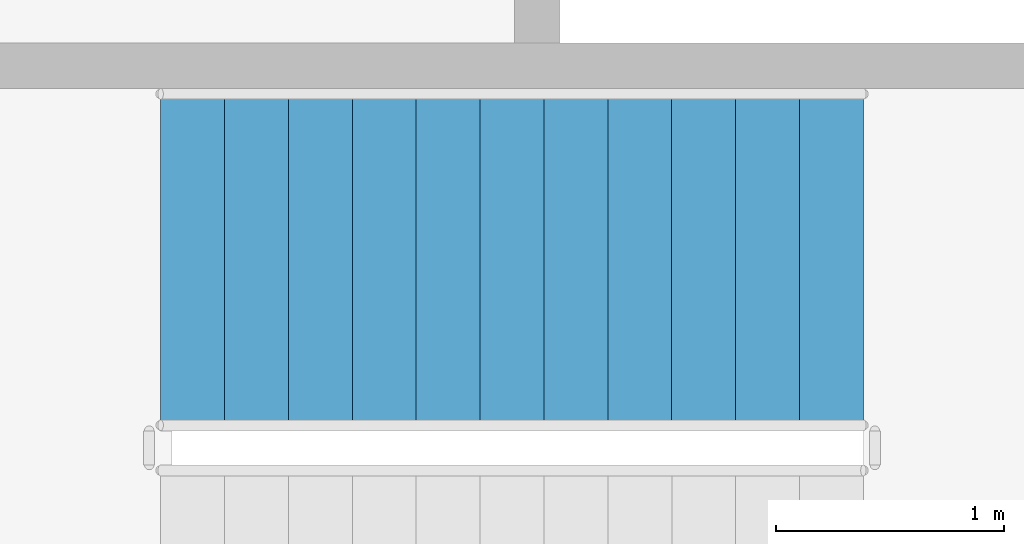
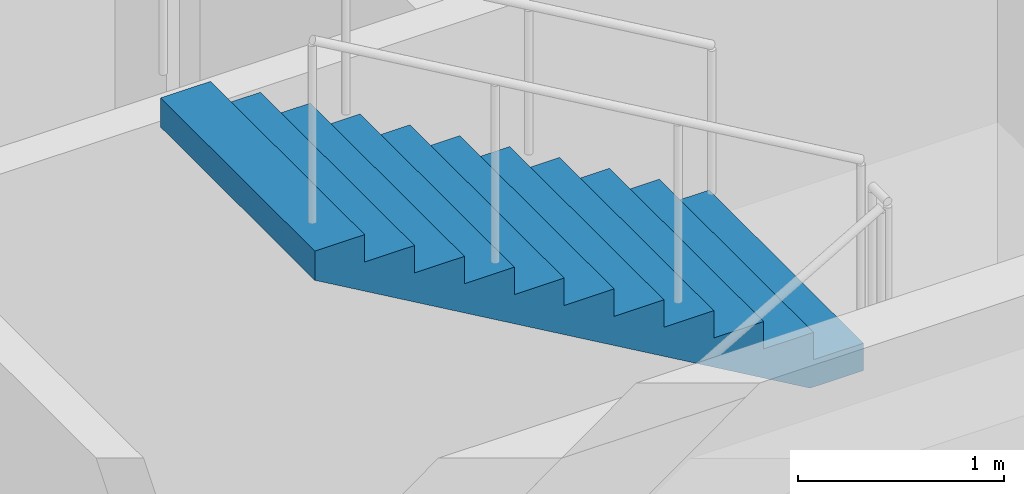
# One storey, part 28 of 32: 1 stair flight, 1 element without a shape of its own.
"""IFC4 building model written with IfcOpenShell, lengths in metres."""

from ifc_helpers import new_model, si_unit, direction, frame, origin, place, context, subcontext, project, spatial, triangles, material, type_object, element, aggregate, save


model = new_model("IFC4")

# Units and contexts
model_context = context("Model", 3, precision=1e-05, world=origin(), true_north=direction((0.0, 1.0)))
body_context = subcontext(model_context, "Body", "Model", "MODEL_VIEW")
ifc_project = project(units=[si_unit("LENGTHUNIT", "METRE"), si_unit("AREAUNIT", "SQUARE_METRE"), si_unit("VOLUMEUNIT", "CUBIC_METRE"), si_unit("PLANEANGLEUNIT", "RADIAN"), si_unit("MASSUNIT", "GRAM", prefix="KILO")], contexts=[model_context])

# Site, building, storey
site_placement = place(None, origin())
site = spatial("IfcSite", under=ifc_project, at=site_placement, CompositionType="ELEMENT")
building_placement = place(site_placement, origin())
building = spatial("IfcBuilding", under=site, at=building_placement, Name="Magnolia Steps Interchange", CompositionType="ELEMENT")
storey_placement = place(building_placement, frame((0.0, 0.0, 16.5)))
storey = spatial("IfcBuildingStorey", under=building, at=storey_placement, Name="L04", CompositionType="ELEMENT", Elevation=16.5)

# Stair, stair flight
ifc_material_1 = material(Name="Concrete C40", Category="concrete")
stair_type = type_object("IfcStairType", Name="Exit stair 1500", PredefinedType="HALF_TURN_STAIR", material=ifc_material_1)
stair_placement = place(storey_placement, origin())
stair = element("IfcStair", 1, at=stair_placement, inside=storey, type_object=stair_type, Name="L04 Stair 29", PredefinedType="HALF_TURN_STAIR")
ifc_material_2 = material(Name="Concrete C40", Category="concrete")
stair_flight_type = type_object("IfcStairFlightType", Name="Exit stair flight", PredefinedType="STRAIGHT", material=ifc_material_2)
stair_flight_placement = place(storey_placement, frame((115.929931640625, 99.25, 1.949951171875), z_axis=(0.0, 0.0, 1.0), x_axis=(-1.0, 0.0, 0.0)))
stair_flight = element("IfcStairFlight", 2, at=stair_flight_placement, type_object=stair_flight_type, Name="Stair 29 flight 2", NumberOfRisers=12, NumberOfTreads=11, PredefinedType="STRAIGHT", RiserHeight=0.1625, TreadLength=0.28, context=body_context, shape_type="Tessellation", body=[
    triangles([(0.0, -0.75, 0.0), (0.298583984375, -0.75, 0.0), (3.080078125, -0.75, 1.6142578125), (3.080078125, -0.75, 1.78759765625), (2.800048828125, -0.75, 1.78759765625), (2.800048828125, -0.75, 1.625), (2.52001953125, -0.75, 1.625), (2.52001953125, -0.75, 1.46240234375), (2.239990234375, -0.75, 1.46240234375), (2.239990234375, -0.75, 1.300048828125), (1.9599609375, -0.75, 1.300048828125), (1.9599609375, -0.75, 1.137451171875), (1.679931640625, -0.75, 1.137451171875), (1.679931640625, -0.75, 0.97509765625), (1.39990234375, -0.75, 0.97509765625), (1.39990234375, -0.75, 0.8125), (1.1201171875, -0.75, 0.8125), (1.1201171875, -0.75, 0.64990234375), (0.840087890625, -0.75, 0.64990234375), (0.840087890625, -0.75, 0.487548828125), (0.56005859375, -0.75, 0.487548828125), (0.56005859375, -0.75, 0.324951171875), (0.280029296875, -0.75, 0.324951171875), (0.280029296875, -0.75, 0.16259765625), (0.0, -0.75, 0.16259765625), (0.0, 0.75, 0.0), (0.298583984375, 0.75, 0.0), (3.080078125, 0.75, 1.6142578125), (3.080078125, 0.75, 1.78759765625), (2.800048828125, 0.75, 1.78759765625), (2.800048828125, 0.75, 1.625), (2.52001953125, 0.75, 1.625), (2.52001953125, 0.75, 1.46240234375), (2.239990234375, 0.75, 1.46240234375), (2.239990234375, 0.75, 1.300048828125), (1.9599609375, 0.75, 1.300048828125), (1.9599609375, 0.75, 1.137451171875), (1.679931640625, 0.75, 1.137451171875), (1.679931640625, 0.75, 0.97509765625), (1.39990234375, 0.75, 0.97509765625), (1.39990234375, 0.75, 0.8125), (1.1201171875, 0.75, 0.8125), (1.1201171875, 0.75, 0.64990234375), (0.840087890625, 0.75, 0.64990234375), (0.840087890625, 0.75, 0.487548828125), (0.56005859375, 0.75, 0.487548828125), (0.56005859375, 0.75, 0.324951171875), (0.280029296875, 0.75, 0.324951171875), (0.280029296875, 0.75, 0.16259765625), (0.0, 0.75, 0.16259765625), (0.0, 0.0, 0.0), (0.0, 0.0, 0.0406494140625), (0.0, 0.0, 0.081298828125), (0.0, 0.0, 0.1219482421875), (0.0, 0.0, 0.16259765625), (0.0, -0.05, 0.0), (0.0, -0.05, 0.16259765625), (0.0, 0.05, 0.0), (0.0, 0.05, 0.16259765625), (0.046671549479166664, 0.0, 0.16259765625), (0.09334309895833333, 0.0, 0.16259765625), (0.1400146484375, 0.0, 0.16259765625), (0.18668619791666666, 0.0, 0.16259765625), (0.23335774739583334, 0.0, 0.16259765625), (0.280029296875, 0.0, 0.16259765625), (0.280029296875, -0.05, 0.16259765625), (0.280029296875, 0.05, 0.16259765625), (0.280029296875, 0.0, 0.20318603515625), (0.280029296875, 0.0, 0.2437744140625), (0.280029296875, 0.0, 0.28436279296875), (0.280029296875, 0.0, 0.324951171875), (0.280029296875, -0.05, 0.324951171875), (0.280029296875, 0.05, 0.324951171875), (0.3267008463541667, 0.0, 0.324951171875), (0.3733723958333333, 0.0, 0.324951171875), (0.4200439453125, 0.0, 0.324951171875), (0.46671549479166663, 0.0, 0.324951171875), (0.5133870442708334, 0.0, 0.324951171875), (0.56005859375, 0.0, 0.324951171875), (0.56005859375, -0.05, 0.324951171875), (0.56005859375, 0.05, 0.324951171875), (0.56005859375, 0.0, 0.3656005859375), (0.56005859375, 0.0, 0.40625), (0.56005859375, 0.0, 0.4468994140625), (0.56005859375, 0.0, 0.487548828125), (0.56005859375, -0.05, 0.487548828125), (0.56005859375, 0.05, 0.487548828125), (0.6067301432291666, 0.0, 0.487548828125), (0.6534016927083334, 0.0, 0.487548828125), (0.7000732421875, 0.0, 0.487548828125), (0.7467447916666666, 0.0, 0.487548828125), (0.7934163411458334, 0.0, 0.487548828125), (0.840087890625, 0.0, 0.487548828125), (0.840087890625, -0.05, 0.487548828125), (0.840087890625, 0.05, 0.487548828125), (0.840087890625, 0.0, 0.52813720703125), (0.840087890625, 0.0, 0.5687255859375), (0.840087890625, 0.0, 0.60931396484375), (0.840087890625, 0.0, 0.64990234375), (0.840087890625, -0.05, 0.64990234375), (0.840087890625, 0.05, 0.64990234375), (0.8867594401041666, 0.0, 0.64990234375), (0.9334309895833334, 0.0, 0.64990234375), (0.9801025390625, 0.0, 0.64990234375), (1.0267740885416667, 0.0, 0.64990234375), (1.0734456380208333, 0.0, 0.64990234375), (1.1201171875, 0.0, 0.64990234375), (1.1201171875, -0.05, 0.64990234375), (1.1201171875, 0.05, 0.64990234375), (1.1201171875, 0.0, 0.6905517578125), (1.1201171875, 0.0, 0.731201171875), (1.1201171875, 0.0, 0.7718505859375), (1.1201171875, 0.0, 0.8125), (1.1201171875, -0.05, 0.8125), (1.1201171875, 0.05, 0.8125), (1.1900634765625, 0.0, 0.8125), (1.260009765625, 0.0, 0.8125), (1.3299560546875, 0.0, 0.8125), (1.39990234375, 0.0, 0.8125), (1.39990234375, -0.05, 0.8125), (1.39990234375, 0.05, 0.8125), (1.39990234375, 0.0, 0.8531494140625), (1.39990234375, 0.0, 0.893798828125), (1.39990234375, 0.0, 0.9344482421875), (1.39990234375, 0.0, 0.97509765625), (1.39990234375, -0.05, 0.97509765625), (1.39990234375, 0.05, 0.97509765625), (1.4465738932291667, 0.0, 0.97509765625), (1.4932454427083333, 0.0, 0.97509765625), (1.5399169921875, 0.0, 0.97509765625), (1.5865885416666667, 0.0, 0.97509765625), (1.6332600911458333, 0.0, 0.97509765625), (1.679931640625, 0.0, 0.97509765625), (1.679931640625, -0.05, 0.97509765625), (1.679931640625, 0.05, 0.97509765625), (1.679931640625, 0.0, 1.01568603515625), (1.679931640625, 0.0, 1.0562744140625), (1.679931640625, 0.0, 1.09686279296875), (1.679931640625, 0.0, 1.137451171875), (1.679931640625, -0.05, 1.137451171875), (1.679931640625, 0.05, 1.137451171875), (1.7266031901041667, 0.0, 1.137451171875), (1.7732747395833333, 0.0, 1.137451171875), (1.8199462890625, 0.0, 1.137451171875), (1.8666178385416667, 0.0, 1.137451171875), (1.9132893880208333, 0.0, 1.137451171875), (1.9599609375, 0.0, 1.137451171875), (1.9599609375, -0.05, 1.137451171875), (1.9599609375, 0.05, 1.137451171875), (1.9599609375, 0.0, 1.1781005859375), (1.9599609375, 0.0, 1.21875), (1.9599609375, 0.0, 1.2593994140625), (1.9599609375, 0.0, 1.300048828125), (1.9599609375, -0.05, 1.300048828125), (1.9599609375, 0.05, 1.300048828125), (2.0066324869791665, 0.0, 1.300048828125), (2.0533040364583335, 0.0, 1.300048828125), (2.0999755859375, 0.0, 1.300048828125), (2.1466471354166665, 0.0, 1.300048828125), (2.1933186848958335, 0.0, 1.300048828125), (2.239990234375, 0.0, 1.300048828125), (2.239990234375, -0.05, 1.300048828125), (2.239990234375, 0.05, 1.300048828125), (2.239990234375, 0.0, 1.34063720703125), (2.239990234375, 0.0, 1.3812255859375), (2.239990234375, 0.0, 1.42181396484375), (2.239990234375, 0.0, 1.46240234375), (2.239990234375, -0.05, 1.46240234375), (2.239990234375, 0.05, 1.46240234375), (2.2866617838541665, 0.0, 1.46240234375), (2.3333333333333335, 0.0, 1.46240234375), (2.3800048828125, 0.0, 1.46240234375), (2.4266764322916665, 0.0, 1.46240234375), (2.4733479817708335, 0.0, 1.46240234375), (2.52001953125, 0.0, 1.46240234375), (2.52001953125, -0.05, 1.46240234375), (2.52001953125, 0.05, 1.46240234375), (2.52001953125, 0.0, 1.5030517578125), (2.52001953125, 0.0, 1.543701171875), (2.52001953125, 0.0, 1.5843505859375), (2.52001953125, 0.0, 1.625), (2.52001953125, -0.05, 1.625), (2.52001953125, 0.05, 1.625), (2.5666910807291665, 0.0, 1.625), (2.6133626302083335, 0.0, 1.625), (2.6600341796875, 0.0, 1.625), (2.7067057291666665, 0.0, 1.625), (2.7533772786458335, 0.0, 1.625), (2.800048828125, 0.0, 1.625), (2.800048828125, -0.05, 1.625), (2.800048828125, 0.05, 1.625), (2.800048828125, 0.0, 1.6656494140625), (2.800048828125, 0.0, 1.706298828125), (2.800048828125, 0.0, 1.7469482421875), (2.800048828125, 0.0, 1.78759765625), (2.800048828125, -0.05, 1.78759765625), (2.800048828125, 0.05, 1.78759765625), (2.8467203776041665, 0.0, 1.78759765625), (2.8933919270833335, 0.0, 1.78759765625), (2.9400634765625, 0.0, 1.78759765625), (2.9867350260416665, 0.0, 1.78759765625), (3.0334065755208335, 0.0, 1.78759765625), (3.080078125, 0.0, 1.78759765625), (3.080078125, -0.05, 1.78759765625), (3.080078125, 0.05, 1.78759765625), (3.080078125, 0.0, 1.7442626953125), (3.080078125, 0.0, 1.700927734375), (3.080078125, 0.0, 1.6575927734375), (3.080078125, 0.0, 1.6142578125), (3.080078125, -0.05, 1.6142578125), (3.080078125, 0.05, 1.6142578125), (3.0196108610733696, 0.0, 1.5791652513586956), (2.9591435971467392, 0.0, 1.5440726902173914), (2.898676333220109, 0.0, 1.508980129076087), (2.8382090692934785, 0.0, 1.4738875679347827), (2.7777418053668477, 0.0, 1.4387950067934783), (2.7172745414402173, 0.0, 1.4037024456521738), (2.656807277513587, 0.0, 1.3686098845108696), (2.5963400135869565, 0.0, 1.3335173233695652), (2.535872749660326, 0.0, 1.2984247622282608), (2.475405485733696, 0.0, 1.2633322010869565), (2.4149382218070654, 0.0, 1.228239639945652), (2.3544709578804346, 0.0, 1.193147078804348), (2.294003693953804, 0.0, 1.1580545176630435), (2.233536430027174, 0.0, 1.1229619565217392), (2.1730691661005435, 0.0, 1.0878693953804348), (2.112601902173913, 0.0, 1.0527768342391304), (2.0521346382472827, 0.0, 1.0176842730978262), (1.991667374320652, 0.0, 0.9825917119565217), (1.9312001103940217, 0.0, 0.9474991508152174), (1.8707328464673914, 0.0, 0.9124065896739131), (1.810265582540761, 0.0, 0.8773140285326086), (1.7497983186141304, 0.0, 0.8422214673913043), (1.6893310546875, 0.0, 0.80712890625), (1.6288637907608696, 0.0, 0.7720363451086957), (1.568396526834239, 0.0, 0.7369437839673914), (1.5079292629076086, 0.0, 0.7018512228260869), (1.4474619989809783, 0.0, 0.6667586616847826), (1.386994735054348, 0.0, 0.6316661005434783), (1.3265274711277173, 0.0, 0.5965735394021738), (1.266060207201087, 0.0, 0.5614809782608696), (1.2055929432744565, 0.0, 0.5263884171195652), (1.1451256793478262, 0.0, 0.491295855978261), (1.0846584154211956, 0.0, 0.45620329483695654), (1.0241911514945654, 0.0, 0.4211107336956521), (0.9637238875679346, 0.0, 0.3860181725543479), (0.9032566236413042, 0.0, 0.35092561141304346), (0.8427893597146738, 0.0, 0.315833050271739), (0.7823220957880435, 0.0, 0.2807404891304348), (0.7218548318614131, 0.0, 0.24564792798913038), (0.6613875679347827, 0.0, 0.21055536684782616), (0.6009203040081523, 0.0, 0.17546280570652173), (0.540453040081522, 0.0, 0.1403702445652173), (0.47998577615489113, 0.0, 0.10527768342391308), (0.41951851222826075, 0.0, 0.07018512228260865), (0.3590512483016304, 0.0, 0.035092561141304435), (0.298583984375, 0.0, 0.0), (0.298583984375, -0.05, 0.0), (0.298583984375, 0.05, 0.0), (0.24881998697916666, 0.0, 0.0), (0.19905598958333331, 0.0, 0.0), (0.1492919921875, 0.0, 0.0), (0.09952799479166666, 0.0, 0.0), (0.04976399739583334, 0.0, 0.0)], [[1, 2, 3], [3, 4, 5], [3, 5, 6], [3, 6, 7], [3, 7, 8], [8, 9, 10], [3, 8, 10], [10, 11, 12], [3, 10, 12], [12, 13, 14], [3, 12, 14], [14, 15, 16], [3, 14, 16], [16, 17, 18], [3, 16, 18], [18, 19, 20], [3, 18, 20], [20, 21, 22], [3, 20, 22], [1, 3, 22], [22, 23, 24], [1, 22, 24], [24, 25, 1], [26, 28, 27], [28, 30, 29], [28, 31, 30], [28, 32, 31], [28, 33, 32], [33, 35, 34], [28, 35, 33], [35, 37, 36], [28, 37, 35], [37, 39, 38], [28, 39, 37], [39, 41, 40], [28, 41, 39], [41, 43, 42], [28, 43, 41], [43, 45, 44], [28, 45, 43], [45, 47, 46], [28, 47, 45], [26, 47, 28], [47, 49, 48], [26, 49, 47], [49, 26, 50], [1, 25, 57], [1, 57, 56], [56, 52, 51], [56, 53, 52], [56, 57, 53], [57, 54, 53], [57, 55, 54], [26, 59, 50], [26, 58, 59], [58, 51, 52], [58, 52, 53], [58, 53, 59], [59, 53, 54], [59, 54, 55], [25, 24, 66], [25, 66, 57], [57, 60, 55], [57, 61, 60], [57, 62, 61], [57, 66, 62], [66, 63, 62], [66, 64, 63], [66, 65, 64], [50, 67, 49], [50, 59, 67], [59, 55, 60], [59, 60, 61], [59, 61, 62], [59, 62, 67], [67, 62, 63], [67, 63, 64], [67, 64, 65], [24, 23, 72], [24, 72, 66], [66, 68, 65], [66, 69, 68], [66, 72, 69], [72, 70, 69], [72, 71, 70], [49, 73, 48], [49, 67, 73], [67, 65, 68], [67, 68, 69], [67, 69, 73], [73, 69, 70], [73, 70, 71], [23, 22, 80], [23, 80, 72], [72, 74, 71], [72, 75, 74], [72, 76, 75], [72, 80, 76], [80, 77, 76], [80, 78, 77], [80, 79, 78], [48, 81, 47], [48, 73, 81], [73, 71, 74], [73, 74, 75], [73, 75, 76], [73, 76, 81], [81, 76, 77], [81, 77, 78], [81, 78, 79], [22, 21, 86], [22, 86, 80], [80, 82, 79], [80, 83, 82], [80, 86, 83], [86, 84, 83], [86, 85, 84], [47, 87, 46], [47, 81, 87], [81, 79, 82], [81, 82, 83], [81, 83, 87], [87, 83, 84], [87, 84, 85], [21, 20, 94], [21, 94, 86], [86, 88, 85], [86, 89, 88], [86, 90, 89], [86, 94, 90], [94, 91, 90], [94, 92, 91], [94, 93, 92], [46, 95, 45], [46, 87, 95], [87, 85, 88], [87, 88, 89], [87, 89, 90], [87, 90, 95], [95, 90, 91], [95, 91, 92], [95, 92, 93], [20, 19, 100], [20, 100, 94], [94, 96, 93], [94, 97, 96], [94, 100, 97], [100, 98, 97], [100, 99, 98], [45, 101, 44], [45, 95, 101], [95, 93, 96], [95, 96, 97], [95, 97, 101], [101, 97, 98], [101, 98, 99], [19, 18, 108], [19, 108, 100], [100, 102, 99], [100, 103, 102], [100, 104, 103], [100, 108, 104], [108, 105, 104], [108, 106, 105], [108, 107, 106], [44, 109, 43], [44, 101, 109], [101, 99, 102], [101, 102, 103], [101, 103, 104], [101, 104, 109], [109, 104, 105], [109, 105, 106], [109, 106, 107], [18, 17, 114], [18, 114, 108], [108, 110, 107], [108, 111, 110], [108, 114, 111], [114, 112, 111], [114, 113, 112], [43, 115, 42], [43, 109, 115], [109, 107, 110], [109, 110, 111], [109, 111, 115], [115, 111, 112], [115, 112, 113], [17, 16, 120], [17, 120, 114], [114, 116, 113], [114, 117, 116], [114, 120, 117], [120, 118, 117], [120, 119, 118], [42, 121, 41], [42, 115, 121], [115, 113, 116], [115, 116, 117], [115, 117, 121], [121, 117, 118], [121, 118, 119], [16, 15, 126], [16, 126, 120], [120, 122, 119], [120, 123, 122], [120, 126, 123], [126, 124, 123], [126, 125, 124], [41, 127, 40], [41, 121, 127], [121, 119, 122], [121, 122, 123], [121, 123, 127], [127, 123, 124], [127, 124, 125], [15, 14, 134], [15, 134, 126], [126, 128, 125], [126, 129, 128], [126, 130, 129], [126, 134, 130], [134, 131, 130], [134, 132, 131], [134, 133, 132], [40, 135, 39], [40, 127, 135], [127, 125, 128], [127, 128, 129], [127, 129, 130], [127, 130, 135], [135, 130, 131], [135, 131, 132], [135, 132, 133], [14, 13, 140], [14, 140, 134], [134, 136, 133], [134, 137, 136], [134, 140, 137], [140, 138, 137], [140, 139, 138], [39, 141, 38], [39, 135, 141], [135, 133, 136], [135, 136, 137], [135, 137, 141], [141, 137, 138], [141, 138, 139], [13, 12, 148], [13, 148, 140], [140, 142, 139], [140, 143, 142], [140, 144, 143], [140, 148, 144], [148, 145, 144], [148, 146, 145], [148, 147, 146], [38, 149, 37], [38, 141, 149], [141, 139, 142], [141, 142, 143], [141, 143, 144], [141, 144, 149], [149, 144, 145], [149, 145, 146], [149, 146, 147], [12, 11, 154], [12, 154, 148], [148, 150, 147], [148, 151, 150], [148, 154, 151], [154, 152, 151], [154, 153, 152], [37, 155, 36], [37, 149, 155], [149, 147, 150], [149, 150, 151], [149, 151, 155], [155, 151, 152], [155, 152, 153], [11, 10, 162], [11, 162, 154], [154, 156, 153], [154, 157, 156], [154, 158, 157], [154, 162, 158], [162, 159, 158], [162, 160, 159], [162, 161, 160], [36, 163, 35], [36, 155, 163], [155, 153, 156], [155, 156, 157], [155, 157, 158], [155, 158, 163], [163, 158, 159], [163, 159, 160], [163, 160, 161], [10, 9, 168], [10, 168, 162], [162, 164, 161], [162, 165, 164], [162, 168, 165], [168, 166, 165], [168, 167, 166], [35, 169, 34], [35, 163, 169], [163, 161, 164], [163, 164, 165], [163, 165, 169], [169, 165, 166], [169, 166, 167], [9, 8, 176], [9, 176, 168], [168, 170, 167], [168, 171, 170], [168, 172, 171], [168, 176, 172], [176, 173, 172], [176, 174, 173], [176, 175, 174], [34, 177, 33], [34, 169, 177], [169, 167, 170], [169, 170, 171], [169, 171, 172], [169, 172, 177], [177, 172, 173], [177, 173, 174], [177, 174, 175], [8, 7, 182], [8, 182, 176], [176, 178, 175], [176, 179, 178], [176, 182, 179], [182, 180, 179], [182, 181, 180], [33, 183, 32], [33, 177, 183], [177, 175, 178], [177, 178, 179], [177, 179, 183], [183, 179, 180], [183, 180, 181], [7, 6, 190], [7, 190, 182], [182, 184, 181], [182, 185, 184], [182, 186, 185], [182, 190, 186], [190, 187, 186], [190, 188, 187], [190, 189, 188], [32, 191, 31], [32, 183, 191], [183, 181, 184], [183, 184, 185], [183, 185, 186], [183, 186, 191], [191, 186, 187], [191, 187, 188], [191, 188, 189], [6, 5, 196], [6, 196, 190], [190, 192, 189], [190, 193, 192], [190, 196, 193], [196, 194, 193], [196, 195, 194], [31, 197, 30], [31, 191, 197], [191, 189, 192], [191, 192, 193], [191, 193, 197], [197, 193, 194], [197, 194, 195], [5, 4, 204], [5, 204, 196], [196, 198, 195], [196, 199, 198], [196, 200, 199], [196, 204, 200], [204, 201, 200], [204, 202, 201], [204, 203, 202], [30, 205, 29], [30, 197, 205], [197, 195, 198], [197, 198, 199], [197, 199, 200], [197, 200, 205], [205, 200, 201], [205, 201, 202], [205, 202, 203], [4, 3, 210], [4, 210, 204], [204, 206, 203], [204, 207, 206], [204, 210, 207], [210, 208, 207], [210, 209, 208], [29, 211, 28], [29, 205, 211], [205, 203, 206], [205, 206, 207], [205, 207, 211], [211, 207, 208], [211, 208, 209], [3, 2, 258], [3, 258, 210], [210, 212, 209], [210, 213, 212], [210, 214, 213], [210, 215, 214], [210, 216, 215], [210, 217, 216], [210, 218, 217], [210, 219, 218], [210, 220, 219], [210, 221, 220], [210, 222, 221], [210, 223, 222], [210, 224, 223], [210, 225, 224], [210, 226, 225], [210, 227, 226], [210, 228, 227], [210, 229, 228], [210, 230, 229], [210, 231, 230], [210, 232, 231], [210, 233, 232], [210, 234, 233], [210, 258, 234], [258, 235, 234], [258, 236, 235], [258, 237, 236], [258, 238, 237], [258, 239, 238], [258, 240, 239], [258, 241, 240], [258, 242, 241], [258, 243, 242], [258, 244, 243], [258, 245, 244], [258, 246, 245], [258, 247, 246], [258, 248, 247], [258, 249, 248], [258, 250, 249], [258, 251, 250], [258, 252, 251], [258, 253, 252], [258, 254, 253], [258, 255, 254], [258, 256, 255], [258, 257, 256], [28, 259, 27], [28, 211, 259], [211, 209, 212], [211, 212, 213], [211, 213, 214], [211, 214, 215], [211, 215, 216], [211, 216, 217], [211, 217, 218], [211, 218, 219], [211, 219, 220], [211, 220, 221], [211, 221, 222], [211, 222, 223], [211, 223, 224], [211, 224, 225], [211, 225, 226], [211, 226, 227], [211, 227, 228], [211, 228, 229], [211, 229, 230], [211, 230, 231], [211, 231, 232], [211, 232, 233], [211, 233, 234], [211, 234, 259], [259, 234, 235], [259, 235, 236], [259, 236, 237], [259, 237, 238], [259, 238, 239], [259, 239, 240], [259, 240, 241], [259, 241, 242], [259, 242, 243], [259, 243, 244], [259, 244, 245], [259, 245, 246], [259, 246, 247], [259, 247, 248], [259, 248, 249], [259, 249, 250], [259, 250, 251], [259, 251, 252], [259, 252, 253], [259, 253, 254], [259, 254, 255], [259, 255, 256], [259, 256, 257], [2, 1, 56], [2, 56, 258], [258, 260, 257], [258, 261, 260], [258, 262, 261], [258, 56, 262], [56, 263, 262], [56, 264, 263], [56, 51, 264], [27, 58, 26], [27, 259, 58], [259, 257, 260], [259, 260, 261], [259, 261, 262], [259, 262, 58], [58, 262, 263], [58, 263, 264], [58, 264, 51]], closed=True),
])
aggregate(stair, [stair_flight])

save(model, "model.ifc")
